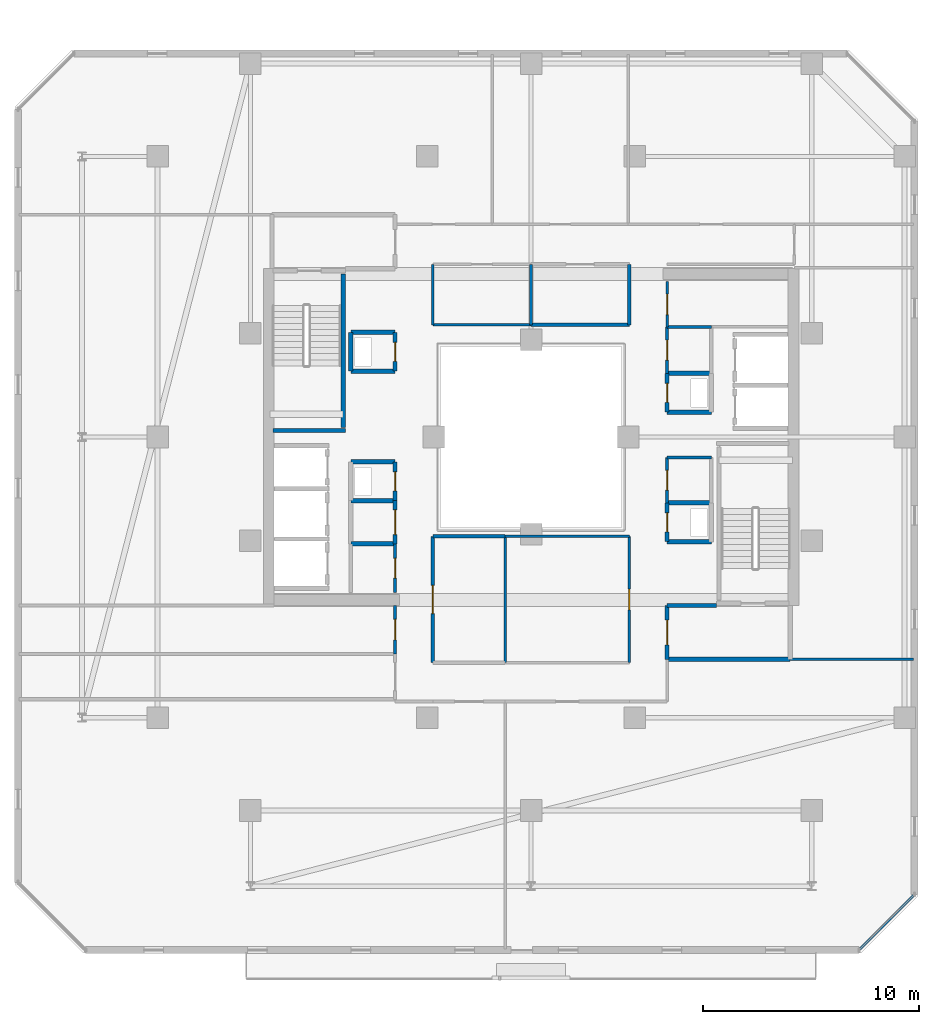
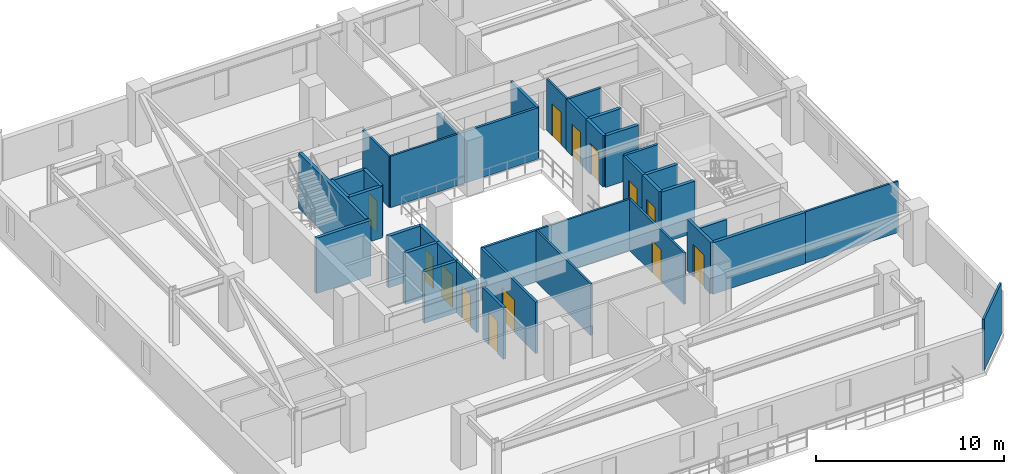
# One storey, part 24 of 33: 39 walls, 13 doors, 13 openings.
"""IFC4 building model written with IfcOpenShell, lengths in metres."""

from ifc_helpers import new_model, si_unit, direction, frame, frame_2d, origin, place, context, subcontext, project, spatial, rectangle, extrude, material, layer, layer_set, type_object, element, fill, save


model = new_model("IFC4")

# Units and contexts
model_context = context("Model", 3, precision=1e-05, world=origin(), true_north=direction((0.0, 1.0)))
body_context = subcontext(model_context, "Body", "Model", "MODEL_VIEW")
ifc_project = project(units=[si_unit("LENGTHUNIT", "METRE"), si_unit("AREAUNIT", "SQUARE_METRE"), si_unit("VOLUMEUNIT", "CUBIC_METRE"), si_unit("PLANEANGLEUNIT", "RADIAN"), si_unit("MASSUNIT", "GRAM", prefix="KILO")], contexts=[model_context])

# Site, building, storey
site_placement = place(None, origin())
site = spatial("IfcSite", under=ifc_project, at=site_placement, CompositionType="ELEMENT")
building_placement = place(site_placement, origin())
building = spatial("IfcBuilding", under=site, at=building_placement, Name="Thornwick Lancets Civic Towers", CompositionType="ELEMENT")
storey_placement = place(building_placement, frame((0.0, 0.0, 214.5)))
storey = spatial("IfcBuildingStorey", under=building, at=storey_placement, Name="L57", CompositionType="ELEMENT", Elevation=214.5)

# Walls
ifc_material_1 = material(Name="Concrete blockwork C40/50", Category="masonry")
ifc_layer_1 = layer(ifc_material_1, 0.199951171875, Name="Concrete blockwork C40/50")
ifc_layer_set_1 = layer_set([ifc_layer_1], Name="Concrete blockwork C40/50")
wall_type_1 = type_object("IfcWallType", Name="WALL_COMP_200", PredefinedType="STANDARD", material=ifc_layer_set_1)
wall_1_placement = place(storey_placement, frame((94.800048828125, 16.699951171875, 0.0), z_axis=(0.0, 0.0, 1.0), x_axis=(1.0, 0.0, 0.0)))
element("IfcWall", 1, at=wall_1_placement, inside=storey, type_object=wall_type_1, Name="L57 Partition L57-B-FFLOB1 E1", PredefinedType="STANDARD", context=body_context, shape_type="SweptSolid", body=[
    extrude(rectangle(XDim=5.699951171875, YDim=0.199951171875, at=frame_2d((2.85009765625, 0.0))), origin(), (0.0, 0.0, 1.0), 3.340087890625),
])
wall_2_placement = place(storey_placement, frame((97.10009765625, 19.199951171875, 0.0), z_axis=(0.0, 0.0, 1.0), x_axis=(-1.0, 0.0, 0.0)))
element("IfcWall", 2, at=wall_2_placement, inside=storey, type_object=wall_type_1, Name="L57 Partition L57-B-FFLOB1 E3", PredefinedType="STANDARD", context=body_context, shape_type="SweptSolid", body=[
    extrude(rectangle(XDim=2.300048828125, YDim=0.199951171875, at=frame_2d((1.14990234375, 0.0))), origin(), (0.0, 0.0, 1.0), 2.544921875),
])

# Wall, opening, door
wall_3_placement = place(storey_placement, frame((94.800048828125, 19.199951171875, 0.0), z_axis=(0.0, 0.0, 1.0), x_axis=(0.0, -1.0, 0.0)))
wall_3 = element("IfcWall", 3, at=wall_3_placement, inside=storey, type_object=wall_type_1, Name="L57 Partition L57-B-FFLOB1 E4", PredefinedType="STANDARD", context=body_context, shape_type="SweptSolid", body=[
    extrude(rectangle(XDim=2.5, YDim=0.199951171875, at=frame_2d((1.25, 0.0))), origin(), (0.0, 0.0, 1.0), 3.340087890625),
])
opening_1_placement = place(wall_3_placement, frame((0.675048828125, 0.0, 0.0)))
opening_1 = element("IfcOpeningElement", 4, at=opening_1_placement, cuts=wall_3, Name="Opening D-L57-2540", PredefinedType="OPENING", context=body_context, shape_type="SweptSolid", body=[
    extrude(rectangle(XDim=1.14990234375, YDim=2.10009765625, at=frame_2d((0.574951171875, 1.050048828125))), frame((0.0, 0.10986328125, 0.0), z_axis=(0.0, -1.0, 0.0), x_axis=(1.0, 0.0, 0.0)), (0.0, 0.0, 1.0), 0.219970703125),
])
ifc_material_2 = material(Name="Glazed fire-resisting steel", Category="steel")
door_type_1 = type_object("IfcDoorType", Name="DOOR_LOBBY_FD60", OperationType="NOTDEFINED", PredefinedType="DOOR", material=ifc_material_2)
door_1_placement = place(opening_1_placement, origin())
door_1 = element("IfcDoor", 5, at=door_1_placement, inside=storey, type_object=door_type_1, Name="L57 East Firefighting Lobby 1 Door", OperationType="SINGLE_SWING_LEFT", OverallHeight=2.10009765625, OverallWidth=1.14990234375, PredefinedType="DOOR", context=body_context, shape_type="SweptSolid", body=[
    extrude(rectangle(XDim=1.14990234375, YDim=2.10009765625, at=frame_2d((0.574951171875, 1.050048828125))), frame((0.0, 0.02490234375, 0.0), z_axis=(0.0, -1.0, 0.0), x_axis=(1.0, 0.0, 0.0)), (0.0, 0.0, 1.0), 0.050048828125),
])
fill(opening_1, door_1)

# Walls
for number, where, z_axis, x_axis, name in (
    (6, (94.800048828125, 28.14990234375, 0.0), (0.0, 0.0, 1.0), (1.0, 0.0, 0.0), "L57 Partition L57-B-DUCT1 E1"),
    (7, (96.85009765625, 29.949951171875, 0.0), (0.0, 0.0, 1.0), (-1.0, 0.0, 0.0), "L57 Partition L57-B-DUCT1 E3"),
):
    element("IfcWall", number, at=place(storey_placement, frame(where, z_axis=z_axis, x_axis=x_axis)), inside=storey, type_object=wall_type_1, Name=name, PredefinedType="STANDARD", context=body_context, shape_type="SweptSolid", body=[
        extrude(rectangle(XDim=2.050048828125, YDim=0.199951171875, at=frame_2d((1.02490234375, 0.0))), origin(), (0.0, 0.0, 1.0), 3.340087890625),
    ])

# Wall, opening, door
wall_4_placement = place(storey_placement, frame((94.800048828125, 29.949951171875, 0.0), z_axis=(0.0, 0.0, 1.0), x_axis=(0.0, -1.0, 0.0)))
wall_4 = element("IfcWall", 8, at=wall_4_placement, inside=storey, type_object=wall_type_1, Name="L57 Partition L57-B-DUCT1 E4", PredefinedType="STANDARD", context=body_context, shape_type="SweptSolid", body=[
    extrude(rectangle(XDim=1.800048828125, YDim=0.199951171875, at=frame_2d((0.89990234375, 0.0))), origin(), (0.0, 0.0, 1.0), 3.340087890625),
])
opening_2_placement = place(wall_4_placement, frame((0.4599609375, 0.0, 0.0)))
opening_2 = element("IfcOpeningElement", 9, at=opening_2_placement, cuts=wall_4, Name="Opening D-L57-2542", PredefinedType="OPENING", context=body_context, shape_type="SweptSolid", body=[
    extrude(rectangle(XDim=0.8798828125, YDim=2.0400390625, at=frame_2d((0.43994140625, 1.02001953125))), frame((0.0, 0.10986328125, 0.0), z_axis=(0.0, -1.0, 0.0), x_axis=(1.0, 0.0, 0.0)), (0.0, 0.0, 1.0), 0.219970703125),
])
ifc_material_3 = material(Name="Steel riser access doorset", Category="steel")
door_type_2 = type_object("IfcDoorType", Name="DOOR_RISER_850", OperationType="NOTDEFINED", PredefinedType="DOOR", material=ifc_material_3)
door_2_placement = place(opening_2_placement, origin())
door_2 = element("IfcDoor", 10, at=door_2_placement, inside=storey, type_object=door_type_2, Name="L57 East Service Duct 1 Door", OperationType="SINGLE_SWING_LEFT", OverallHeight=2.0400390625, OverallWidth=0.8798828125, PredefinedType="DOOR", context=body_context, shape_type="SweptSolid", body=[
    extrude(rectangle(XDim=0.8798828125, YDim=2.0400390625, at=frame_2d((0.43994140625, 1.02001953125))), frame((0.0, 0.02490234375, 0.0), z_axis=(0.0, -1.0, 0.0), x_axis=(1.0, 0.0, 0.0)), (0.0, 0.0, 1.0), 0.050048828125),
])
fill(opening_2, door_2)

# Walls
for number, where, z_axis, x_axis, name in (
    (11, (94.800048828125, 22.14990234375, 0.0), (0.0, 0.0, 1.0), (1.0, 0.0, 0.0), "L57 Partition L57-B-RISER1 E1"),
    (12, (96.85009765625, 23.949951171875, 0.0), (0.0, 0.0, 1.0), (-1.0, 0.0, 0.0), "L57 Partition L57-B-RISER1 E3"),
):
    element("IfcWall", number, at=place(storey_placement, frame(where, z_axis=z_axis, x_axis=x_axis)), inside=storey, type_object=wall_type_1, Name=name, PredefinedType="STANDARD", context=body_context, shape_type="SweptSolid", body=[
        extrude(rectangle(XDim=2.050048828125, YDim=0.199951171875, at=frame_2d((1.02490234375, 0.0))), origin(), (0.0, 0.0, 1.0), 3.340087890625),
    ])

# Wall, opening, door
wall_5_placement = place(storey_placement, frame((94.800048828125, 23.949951171875, 0.0), z_axis=(0.0, 0.0, 1.0), x_axis=(0.0, -1.0, 0.0)))
wall_5 = element("IfcWall", 13, at=wall_5_placement, inside=storey, type_object=wall_type_1, Name="L57 Partition L57-B-RISER1 E4", PredefinedType="STANDARD", context=body_context, shape_type="SweptSolid", body=[
    extrude(rectangle(XDim=1.800048828125, YDim=0.199951171875, at=frame_2d((0.89990234375, 0.0))), origin(), (0.0, 0.0, 1.0), 3.340087890625),
])
opening_3_placement = place(wall_5_placement, frame((0.4599609375, 0.0, 0.0)))
opening_3 = element("IfcOpeningElement", 14, at=opening_3_placement, cuts=wall_5, Name="Opening D-L57-2543", PredefinedType="OPENING", context=body_context, shape_type="SweptSolid", body=[
    extrude(rectangle(XDim=0.8798828125, YDim=2.0400390625, at=frame_2d((0.43994140625, 1.02001953125))), frame((0.0, 0.10986328125, 0.0), z_axis=(0.0, -1.0, 0.0), x_axis=(1.0, 0.0, 0.0)), (0.0, 0.0, 1.0), 0.219970703125),
])
door_3_placement = place(opening_3_placement, origin())
door_3 = element("IfcDoor", 15, at=door_3_placement, inside=storey, type_object=door_type_2, Name="L57 East Electrical Riser 1 Door", OperationType="SINGLE_SWING_RIGHT", OverallHeight=2.0400390625, OverallWidth=0.8798828125, PredefinedType="DOOR", context=body_context, shape_type="SweptSolid", body=[
    extrude(rectangle(XDim=0.8798828125, YDim=2.0400390625, at=frame_2d((0.43994140625, 1.02001953125))), frame((0.0, 0.02490234375, 0.0), z_axis=(0.0, -1.0, 0.0), x_axis=(1.0, 0.0, 0.0)), (0.0, 0.0, 1.0), 0.050048828125),
])
fill(opening_3, door_3)

# Wall
wall_6_placement = place(storey_placement, frame((80.14990234375, 24.050048828125, 0.0), z_axis=(0.0, 0.0, 1.0), x_axis=(1.0, 0.0, 0.0)))
element("IfcWall", 16, at=wall_6_placement, inside=storey, type_object=wall_type_1, Name="L57 Partition L57-B-DUCT2 E1", PredefinedType="STANDARD", context=body_context, shape_type="SweptSolid", body=[
    extrude(rectangle(XDim=2.050048828125, YDim=0.199951171875, at=frame_2d((1.02490234375, 0.0))), origin(), (0.0, 0.0, 1.0), 3.340087890625),
])

# Wall, opening, door
wall_7_placement = place(storey_placement, frame((82.199951171875, 24.050048828125, 0.0), z_axis=(0.0, 0.0, 1.0), x_axis=(0.0, 1.0, 0.0)))
wall_7 = element("IfcWall", 17, at=wall_7_placement, inside=storey, type_object=wall_type_1, Name="L57 Partition L57-B-DUCT2 E2", PredefinedType="STANDARD", context=body_context, shape_type="SweptSolid", body=[
    extrude(rectangle(XDim=1.800048828125, YDim=0.199951171875, at=frame_2d((0.89990234375, 0.0))), origin(), (0.0, 0.0, 1.0), 3.340087890625),
])
opening_4_placement = place(wall_7_placement, frame((0.4599609375, 0.0, 0.0)))
opening_4 = element("IfcOpeningElement", 18, at=opening_4_placement, cuts=wall_7, Name="Opening D-L57-2544", PredefinedType="OPENING", context=body_context, shape_type="SweptSolid", body=[
    extrude(rectangle(XDim=0.8798828125, YDim=2.0400390625, at=frame_2d((0.43994140625, 1.02001953125))), frame((0.0, 0.10986328125, 0.0), z_axis=(0.0, -1.0, 0.0), x_axis=(1.0, 0.0, 0.0)), (0.0, 0.0, 1.0), 0.219970703125),
])
door_4_placement = place(opening_4_placement, origin())
door_4 = element("IfcDoor", 19, at=door_4_placement, inside=storey, type_object=door_type_2, Name="L57 West Service Duct 2 Door", OperationType="SINGLE_SWING_LEFT", OverallHeight=2.0400390625, OverallWidth=0.8798828125, PredefinedType="DOOR", context=body_context, shape_type="SweptSolid", body=[
    extrude(rectangle(XDim=0.8798828125, YDim=2.0400390625, at=frame_2d((0.43994140625, 1.02001953125))), frame((0.0, 0.02490234375, 0.0), z_axis=(0.0, -1.0, 0.0), x_axis=(1.0, 0.0, 0.0)), (0.0, 0.0, 1.0), 0.050048828125),
])
fill(opening_4, door_4)

# Walls
for number, where, z_axis, x_axis, name in (
    (20, (82.199951171875, 25.85009765625, 0.0), (0.0, 0.0, 1.0), (-1.0, 0.0, 0.0), "L57 Partition L57-B-DUCT2 E3"),
    (21, (80.14990234375, 30.050048828125, 0.0), (0.0, 0.0, 1.0), (1.0, 0.0, 0.0), "L57 Partition L57-B-RISER2 E1"),
):
    element("IfcWall", number, at=place(storey_placement, frame(where, z_axis=z_axis, x_axis=x_axis)), inside=storey, type_object=wall_type_1, Name=name, PredefinedType="STANDARD", context=body_context, shape_type="SweptSolid", body=[
        extrude(rectangle(XDim=2.050048828125, YDim=0.199951171875, at=frame_2d((1.02490234375, 0.0))), origin(), (0.0, 0.0, 1.0), 3.340087890625),
    ])

# Wall, opening, door
wall_8_placement = place(storey_placement, frame((82.199951171875, 30.050048828125, 0.0), z_axis=(0.0, 0.0, 1.0), x_axis=(0.0, 1.0, 0.0)))
wall_8 = element("IfcWall", 22, at=wall_8_placement, inside=storey, type_object=wall_type_1, Name="L57 Partition L57-B-RISER2 E2", PredefinedType="STANDARD", context=body_context, shape_type="SweptSolid", body=[
    extrude(rectangle(XDim=1.800048828125, YDim=0.199951171875, at=frame_2d((0.89990234375, 0.0))), origin(), (0.0, 0.0, 1.0), 3.340087890625),
])
opening_5_placement = place(wall_8_placement, frame((0.4599609375, 0.0, 0.0)))
opening_5 = element("IfcOpeningElement", 23, at=opening_5_placement, cuts=wall_8, Name="Opening D-L57-2545", PredefinedType="OPENING", context=body_context, shape_type="SweptSolid", body=[
    extrude(rectangle(XDim=0.8798828125, YDim=2.0400390625, at=frame_2d((0.43994140625, 1.02001953125))), frame((0.0, 0.10986328125, 0.0), z_axis=(0.0, -1.0, 0.0), x_axis=(1.0, 0.0, 0.0)), (0.0, 0.0, 1.0), 0.219970703125),
])
door_5_placement = place(opening_5_placement, origin())
door_5 = element("IfcDoor", 24, at=door_5_placement, inside=storey, type_object=door_type_2, Name="L57 West Service Riser 2 Door", OperationType="SINGLE_SWING_RIGHT", OverallHeight=2.0400390625, OverallWidth=0.8798828125, PredefinedType="DOOR", context=body_context, shape_type="SweptSolid", body=[
    extrude(rectangle(XDim=0.8798828125, YDim=2.0400390625, at=frame_2d((0.43994140625, 1.02001953125))), frame((0.0, 0.02490234375, 0.0), z_axis=(0.0, -1.0, 0.0), x_axis=(1.0, 0.0, 0.0)), (0.0, 0.0, 1.0), 0.050048828125),
])
fill(opening_5, door_5)

# Walls
wall_9_placement = place(storey_placement, frame((82.199951171875, 31.85009765625, 0.0), z_axis=(0.0, 0.0, 1.0), x_axis=(-1.0, 0.0, 0.0)))
element("IfcWall", 25, at=wall_9_placement, inside=storey, type_object=wall_type_1, Name="L57 Partition L57-B-RISER2 E3", PredefinedType="STANDARD", context=body_context, shape_type="SweptSolid", body=[
    extrude(rectangle(XDim=2.050048828125, YDim=0.199951171875, at=frame_2d((1.02490234375, 0.0))), origin(), (0.0, 0.0, 1.0), 3.340087890625),
])
wall_10_placement = place(storey_placement, frame((80.14990234375, 31.85009765625, 0.0), z_axis=(0.0, 0.0, 1.0), x_axis=(0.0, -1.0, 0.0)))
element("IfcWall", 26, at=wall_10_placement, inside=storey, type_object=wall_type_1, Name="L57 Partition L57-B-RISER2 E4", PredefinedType="STANDARD", context=body_context, shape_type="SweptSolid", body=[
    extrude(rectangle(XDim=1.800048828125, YDim=0.199951171875, at=frame_2d((0.89990234375, 0.0))), origin(), (0.0, 0.0, 1.0), 3.340087890625),
])

# Wall, opening, door
wall_11_placement = place(storey_placement, frame((82.199951171875, 24.050048828125, 0.0), z_axis=(0.0, 0.0, 1.0), x_axis=(0.0, -1.0, 0.0)))
wall_11 = element("IfcWall", 27, at=wall_11_placement, inside=storey, type_object=wall_type_1, Name="L57 Partition L57-B-STR E3", PredefinedType="STANDARD", context=body_context, shape_type="SweptSolid", body=[
    extrude(rectangle(XDim=2.0, YDim=0.199951171875, at=frame_2d((1.0, 0.0))), origin(), (0.0, 0.0, 1.0), 3.340087890625),
])
opening_6_placement = place(wall_11_placement, frame((0.425048828125, 0.0, 0.0)))
opening_6 = element("IfcOpeningElement", 28, at=opening_6_placement, cuts=wall_11, Name="Opening D-L57-2550", PredefinedType="OPENING", context=body_context, shape_type="SweptSolid", body=[
    extrude(rectangle(XDim=1.14990234375, YDim=2.10009765625, at=frame_2d((0.574951171875, 1.050048828125))), frame((0.0, 0.10986328125, 0.0), z_axis=(0.0, -1.0, 0.0), x_axis=(1.0, 0.0, 0.0)), (0.0, 0.0, 1.0), 0.219970703125),
])
door_6_placement = place(opening_6_placement, origin())
door_6 = element("IfcDoor", 29, at=door_6_placement, inside=storey, type_object=door_type_1, Name="L57 Tower B Core Records Store Door", OperationType="SINGLE_SWING_LEFT", OverallHeight=2.10009765625, OverallWidth=1.14990234375, PredefinedType="DOOR", context=body_context, shape_type="SweptSolid", body=[
    extrude(rectangle(XDim=1.14990234375, YDim=2.10009765625, at=frame_2d((0.574951171875, 1.050048828125))), frame((0.0, 0.02490234375, 0.0), z_axis=(0.0, -1.0, 0.0), x_axis=(1.0, 0.0, 0.0)), (0.0, 0.0, 1.0), 0.050048828125),
])
fill(opening_6, door_6)

# Wall
wall_12_placement = place(storey_placement, frame((82.199951171875, 22.050048828125, 0.0), z_axis=(0.0, 0.0, 1.0), x_axis=(-1.0, 0.0, 0.0)))
element("IfcWall", 30, at=wall_12_placement, inside=storey, type_object=wall_type_1, Name="L57 Partition L57-B-STR E4", PredefinedType="STANDARD", context=body_context, shape_type="SweptSolid", body=[
    extrude(rectangle(XDim=2.050048828125, YDim=0.199951171875, at=frame_2d((1.02490234375, 0.0))), origin(), (0.0, 0.0, 1.0), 3.340087890625),
])

# Wall, opening, door
ifc_material_4 = material(Name="Acoustic gypsum board partition")
ifc_layer_2 = layer(ifc_material_4, 0.1201171875, Name="Acoustic gypsum board partition")
ifc_layer_set_2 = layer_set([ifc_layer_2], Name="Acoustic gypsum board partition")
wall_type_2 = type_object("IfcWallType", Name="WALL_PART_120", PredefinedType="PARTITIONING", material=ifc_layer_set_2)
wall_13_placement = place(storey_placement, frame((94.800048828125, 32.10009765625, 0.0), z_axis=(0.0, 0.0, 1.0), x_axis=(0.0, 1.0, 0.0)))
wall_13 = element("IfcWall", 31, at=wall_13_placement, inside=storey, type_object=wall_type_2, Name="L57 Partition L57-B-ITR E1", PredefinedType="PARTITIONING", context=body_context, shape_type="SweptSolid", body=[
    extrude(rectangle(XDim=2.099853515625, YDim=0.1201171875, at=frame_2d((1.0498046875, 0.0))), origin(), (0.0, 0.0, 1.0), 3.340087890625),
])
opening_7_placement = place(wall_13_placement, frame((0.574951171875, 0.0, 0.0)))
opening_7 = element("IfcOpeningElement", 32, at=opening_7_placement, cuts=wall_13, Name="Opening D-L57-2548", PredefinedType="OPENING", context=body_context, shape_type="SweptSolid", body=[
    extrude(rectangle(XDim=0.949951171875, YDim=2.10009765625, at=frame_2d((0.47509765625, 1.050048828125))), frame((0.0, 0.070068359375, 0.0), z_axis=(0.0, -1.0, 0.0), x_axis=(1.0, 0.0, 0.0)), (0.0, 0.0, 1.0), 0.14013671875),
])
ifc_material_5 = material(Name="European oak acoustic doorset")
door_type_3 = type_object("IfcDoorType", Name="DOOR_OFFICE_950", OperationType="NOTDEFINED", PredefinedType="DOOR", material=ifc_material_5)
door_7_placement = place(opening_7_placement, origin())
door_7 = element("IfcDoor", 33, at=door_7_placement, inside=storey, type_object=door_type_3, Name="L57 Tower B Comms Patch Room Door", OperationType="SINGLE_SWING_LEFT", OverallHeight=2.10009765625, OverallWidth=0.949951171875, PredefinedType="DOOR", context=body_context, shape_type="SweptSolid", body=[
    extrude(rectangle(XDim=0.949951171875, YDim=2.10009765625, at=frame_2d((0.47509765625, 1.050048828125))), frame((0.0, 0.02490234375, 0.0), z_axis=(0.0, -1.0, 0.0), x_axis=(1.0, 0.0, 0.0)), (0.0, 0.0, 1.0), 0.050048828125),
])
fill(opening_7, door_7)

# Walls
wall_14_placement = place(storey_placement, frame((100.5, 16.699951171875, 0.0), z_axis=(0.0, 0.0, 1.0), x_axis=(1.0, 0.0, 0.0)))
element("IfcWall", 34, at=wall_14_placement, inside=storey, type_object=wall_type_2, Name="L57 Partition L57-B-W1 E7", PredefinedType="PARTITIONING", context=body_context, shape_type="SweptSolid", body=[
    extrude(rectangle(XDim=5.719970703125, YDim=0.1201171875, at=frame_2d((2.85986328125, 0.0))), origin(), (0.0, 0.0, 1.0), 3.340087890625),
])
wall_15_placement = place(storey_placement, frame((106.219970703125, 5.774658203125, 0.0), z_axis=(0.0, 0.0, 1.0), x_axis=(-0.707106781187, -0.707106781187, 0.0)))
element("IfcWall", 35, at=wall_15_placement, inside=storey, type_object=wall_type_2, Name="L57 Partition L57-B-W1 E9", PredefinedType="PARTITIONING", context=body_context, shape_type="SweptSolid", body=[
    extrude(rectangle(XDim=3.52783203125, YDim=0.1201171875, at=frame_2d((1.763916015625, 0.0))), origin(), (0.0, 0.0, 1.0), 3.340087890625),
])
wall_16_placement = place(storey_placement, frame((87.300048828125, 16.550048828125, 0.0), z_axis=(0.0, 0.0, 1.0), x_axis=(0.0, 1.0, 0.0)))
element("IfcWall", 36, at=wall_16_placement, inside=storey, type_object=wall_type_2, Name="L57 Partition L57-B-W3 E1", PredefinedType="PARTITIONING", context=body_context, shape_type="SweptSolid", body=[
    extrude(rectangle(XDim=5.849853515625, YDim=0.1201171875, at=frame_2d((2.9248046875, 0.0))), origin(), (0.0, 0.0, 1.0), 3.340087890625),
])
wall_17_placement = place(storey_placement, frame((87.300048828125, 22.39990234375, 0.0), z_axis=(0.0, 0.0, 1.0), x_axis=(1.0, 0.0, 0.0)))
element("IfcWall", 37, at=wall_17_placement, inside=storey, type_object=wall_type_2, Name="L57 Partition L57-B-W3 E2", PredefinedType="PARTITIONING", context=body_context, shape_type="SweptSolid", body=[
    extrude(rectangle(XDim=5.75, YDim=0.1201171875, at=frame_2d((2.875, 0.0))), origin(), (0.0, 0.0, 1.0), 3.340087890625),
])

# Wall, opening, door
wall_18_placement = place(storey_placement, frame((93.050048828125, 22.39990234375, 0.0), z_axis=(0.0, 0.0, 1.0), x_axis=(0.0, -1.0, 0.0)))
wall_18 = element("IfcWall", 38, at=wall_18_placement, inside=storey, type_object=wall_type_2, Name="L57 Partition L57-B-W3 E3", PredefinedType="PARTITIONING", context=body_context, shape_type="SweptSolid", body=[
    extrude(rectangle(XDim=5.849853515625, YDim=0.1201171875, at=frame_2d((2.9248046875, 0.0))), origin(), (0.0, 0.0, 1.0), 3.340087890625),
])
opening_8_placement = place(wall_18_placement, frame((2.449951171875, 0.0, 0.0)))
opening_8 = element("IfcOpeningElement", 39, at=opening_8_placement, cuts=wall_18, Name="Opening D-L57-2568", PredefinedType="OPENING", context=body_context, shape_type="SweptSolid", body=[
    extrude(rectangle(XDim=0.949951171875, YDim=2.10009765625, at=frame_2d((0.47509765625, 1.050048828125))), frame((0.0, 0.070068359375, 0.0), z_axis=(0.0, -1.0, 0.0), x_axis=(1.0, 0.0, 0.0)), (0.0, 0.0, 1.0), 0.14013671875),
])
door_8_placement = place(opening_8_placement, origin())
door_8 = element("IfcDoor", 40, at=door_8_placement, inside=storey, type_object=door_type_3, Name="L57 Tower B Staff Tea Pantry and Lounge Door", OperationType="SINGLE_SWING_LEFT", OverallHeight=2.10009765625, OverallWidth=0.949951171875, PredefinedType="DOOR", context=body_context, shape_type="SweptSolid", body=[
    extrude(rectangle(XDim=0.949951171875, YDim=2.10009765625, at=frame_2d((0.47509765625, 1.050048828125))), frame((0.0, 0.02490234375, 0.0), z_axis=(0.0, -1.0, 0.0), x_axis=(1.0, 0.0, 0.0)), (0.0, 0.0, 1.0), 0.050048828125),
])
fill(opening_8, door_8)

# Walls
wall_19_placement = place(storey_placement, frame((83.949951171875, 32.199951171875, 0.0), z_axis=(0.0, 0.0, 1.0), x_axis=(0.0, 1.0, 0.0)))
element("IfcWall", 41, at=wall_19_placement, inside=storey, type_object=wall_type_2, Name="L57 Partition L57-B-E-ATR-2 E1", PredefinedType="PARTITIONING", context=body_context, shape_type="SweptSolid", body=[
    extrude(rectangle(XDim=2.800048828125, YDim=0.1201171875, at=frame_2d((1.39990234375, 0.0))), origin(), (0.0, 0.0, 1.0), 3.340087890625),
])
wall_20_placement = place(storey_placement, frame((88.5, 32.199951171875, 0.0), z_axis=(0.0, 0.0, 1.0), x_axis=(-1.0, 0.0, 0.0)))
element("IfcWall", 42, at=wall_20_placement, inside=storey, type_object=wall_type_2, Name="L57 Partition L57-B-E-ATR-2 E4", PredefinedType="PARTITIONING", context=body_context, shape_type="SweptSolid", body=[
    extrude(rectangle(XDim=4.550048828125, YDim=0.1201171875, at=frame_2d((2.27490234375, 0.0))), origin(), (0.0, 0.0, 1.0), 3.340087890625),
])

# Wall, opening, door
ifc_material_6 = material(Name="Twin-stud acoustic gypsum board")
ifc_layer_3 = layer(ifc_material_6, 0.14990234375, Name="Twin-stud acoustic gypsum board")
ifc_layer_set_3 = layer_set([ifc_layer_3], Name="Twin-stud acoustic gypsum board")
wall_type_3 = type_object("IfcWallType", Name="WALL_PART_150", PredefinedType="PARTITIONING", material=ifc_layer_set_3)
wall_21_placement = place(storey_placement, frame((94.800048828125, 23.949951171875, 0.0), z_axis=(0.0, 0.0, 1.0), x_axis=(0.0, 1.0, 0.0)))
wall_21 = element("IfcWall", 43, at=wall_21_placement, inside=storey, type_object=wall_type_3, Name="L57 Partition L57-B-MWC E1", PredefinedType="PARTITIONING", context=body_context, shape_type="SweptSolid", body=[
    extrude(rectangle(XDim=2.10009765625, YDim=0.14990234375, at=frame_2d((1.050048828125, 0.0))), origin(), (0.0, 0.0, 1.0), 3.340087890625),
])
opening_9_placement = place(wall_21_placement, frame((0.590087890625, 0.0, 0.0)))
opening_9 = element("IfcOpeningElement", 44, at=opening_9_placement, cuts=wall_21, Name="Opening D-L57-2546", PredefinedType="OPENING", context=body_context, shape_type="SweptSolid", body=[
    extrude(rectangle(XDim=0.919921875, YDim=2.080078125, at=frame_2d((0.4599609375, 1.0400390625))), frame((0.0, 0.0849609375, 0.0), z_axis=(0.0, -1.0, 0.0), x_axis=(1.0, 0.0, 0.0)), (0.0, 0.0, 1.0), 0.169921875),
])
ifc_material_7 = material(Name="Moisture-resistant oak doorset")
door_type_4 = type_object("IfcDoorType", Name="DOOR_WC_900", OperationType="NOTDEFINED", PredefinedType="DOOR", material=ifc_material_7)
door_9_placement = place(opening_9_placement, origin())
door_9 = element("IfcDoor", 45, at=door_9_placement, inside=storey, type_object=door_type_4, Name="L57 Tower B Male WC Door", OperationType="SINGLE_SWING_LEFT", OverallHeight=2.080078125, OverallWidth=0.919921875, PredefinedType="DOOR", context=body_context, shape_type="SweptSolid", body=[
    extrude(rectangle(XDim=0.919921875, YDim=2.080078125, at=frame_2d((0.4599609375, 1.0400390625))), frame((0.0, 0.02490234375, 0.0), z_axis=(0.0, -1.0, 0.0), x_axis=(1.0, 0.0, 0.0)), (0.0, 0.0, 1.0), 0.050048828125),
])
fill(opening_9, door_9)

# Wall
wall_22_placement = place(storey_placement, frame((94.800048828125, 26.050048828125, 0.0), z_axis=(0.0, 0.0, 1.0), x_axis=(1.0, 0.0, 0.0)))
element("IfcWall", 46, at=wall_22_placement, inside=storey, type_object=wall_type_3, Name="L57 Partition L57-B-MWC E2", PredefinedType="PARTITIONING", context=body_context, shape_type="SweptSolid", body=[
    extrude(rectangle(XDim=2.050048828125, YDim=0.14990234375, at=frame_2d((1.02490234375, 0.0))), origin(), (0.0, 0.0, 1.0), 3.340087890625),
])

# Wall, opening, door
wall_23_placement = place(storey_placement, frame((94.800048828125, 29.949951171875, 0.0), z_axis=(0.0, 0.0, 1.0), x_axis=(0.0, 1.0, 0.0)))
wall_23 = element("IfcWall", 47, at=wall_23_placement, inside=storey, type_object=wall_type_3, Name="L57 Partition L57-B-FWC E1", PredefinedType="PARTITIONING", context=body_context, shape_type="SweptSolid", body=[
    extrude(rectangle(XDim=2.150146484375, YDim=0.14990234375, at=frame_2d((1.0751953125, 0.0))), origin(), (0.0, 0.0, 1.0), 3.340087890625),
])
opening_10_placement = place(wall_23_placement, frame((0.614990234375, 0.0, 0.0)))
opening_10 = element("IfcOpeningElement", 48, at=opening_10_placement, cuts=wall_23, Name="Opening D-L57-2547", PredefinedType="OPENING", context=body_context, shape_type="SweptSolid", body=[
    extrude(rectangle(XDim=0.919921875, YDim=2.080078125, at=frame_2d((0.4599609375, 1.0400390625))), frame((0.0, 0.0849609375, 0.0), z_axis=(0.0, -1.0, 0.0), x_axis=(1.0, 0.0, 0.0)), (0.0, 0.0, 1.0), 0.169921875),
])
door_10_placement = place(opening_10_placement, origin())
door_10 = element("IfcDoor", 49, at=door_10_placement, inside=storey, type_object=door_type_4, Name="L57 Tower B Female WC Door", OperationType="SINGLE_SWING_RIGHT", OverallHeight=2.080078125, OverallWidth=0.919921875, PredefinedType="DOOR", context=body_context, shape_type="SweptSolid", body=[
    extrude(rectangle(XDim=0.919921875, YDim=2.080078125, at=frame_2d((0.4599609375, 1.0400390625))), frame((0.0, 0.02490234375, 0.0), z_axis=(0.0, -1.0, 0.0), x_axis=(1.0, 0.0, 0.0)), (0.0, 0.0, 1.0), 0.050048828125),
])
fill(opening_10, door_10)

# Wall
wall_24_placement = place(storey_placement, frame((94.800048828125, 32.10009765625, 0.0), z_axis=(0.0, 0.0, 1.0), x_axis=(1.0, 0.0, 0.0)))
element("IfcWall", 50, at=wall_24_placement, inside=storey, type_object=wall_type_3, Name="L57 Partition L57-B-FWC E2", PredefinedType="PARTITIONING", context=body_context, shape_type="SweptSolid", body=[
    extrude(rectangle(XDim=2.050048828125, YDim=0.14990234375, at=frame_2d((1.02490234375, 0.0))), origin(), (0.0, 0.0, 1.0), 3.340087890625),
])

# Wall, opening, door
wall_25_placement = place(storey_placement, frame((82.199951171875, 19.800048828125, 0.0), z_axis=(0.0, 0.0, 1.0), x_axis=(0.0, 1.0, 0.0)))
wall_25 = element("IfcWall", 51, at=wall_25_placement, inside=storey, type_object=wall_type_3, Name="L57 Partition L57-B-AWC E2", PredefinedType="PARTITIONING", context=body_context, shape_type="SweptSolid", body=[
    extrude(rectangle(XDim=2.25, YDim=0.14990234375, at=frame_2d((1.125, 0.0))), origin(), (0.0, 0.0, 1.0), 3.340087890625),
])
opening_11_placement = place(wall_25_placement, frame((0.6650390625, 0.0, 0.0)))
opening_11 = element("IfcOpeningElement", 52, at=opening_11_placement, cuts=wall_25, Name="Opening D-L57-2549", PredefinedType="OPENING", context=body_context, shape_type="SweptSolid", body=[
    extrude(rectangle(XDim=0.919921875, YDim=2.080078125, at=frame_2d((0.4599609375, 1.0400390625))), frame((0.0, 0.0849609375, 0.0), z_axis=(0.0, -1.0, 0.0), x_axis=(1.0, 0.0, 0.0)), (0.0, 0.0, 1.0), 0.169921875),
])
door_11_placement = place(opening_11_placement, origin())
door_11 = element("IfcDoor", 53, at=door_11_placement, inside=storey, type_object=door_type_4, Name="L57 Tower B Accessible WC Door", OperationType="SINGLE_SWING_RIGHT", OverallHeight=2.080078125, OverallWidth=0.919921875, PredefinedType="DOOR", context=body_context, shape_type="SweptSolid", body=[
    extrude(rectangle(XDim=0.919921875, YDim=2.080078125, at=frame_2d((0.4599609375, 1.0400390625))), frame((0.0, 0.02490234375, 0.0), z_axis=(0.0, -1.0, 0.0), x_axis=(1.0, 0.0, 0.0)), (0.0, 0.0, 1.0), 0.050048828125),
])
fill(opening_11, door_11)

wall_26_placement = place(storey_placement, frame((82.199951171875, 19.199951171875, 0.0), z_axis=(0.0, 0.0, 1.0), x_axis=(0.0, -1.0, 0.0)))
wall_26 = element("IfcWall", 54, at=wall_26_placement, inside=storey, type_object=wall_type_3, Name="L57 Partition L57-B-RECLAIM-M2 E4", PredefinedType="PARTITIONING", context=body_context, shape_type="SweptSolid", body=[
    extrude(rectangle(XDim=2.25, YDim=0.14990234375, at=frame_2d((1.125, 0.0))), origin(), (0.0, 0.0, 1.0), 3.340087890625),
])
opening_12_placement = place(wall_26_placement, frame((0.64990234375, 0.0, 0.0)))
opening_12 = element("IfcOpeningElement", 55, at=opening_12_placement, cuts=wall_26, Name="Opening D-L57-2565", PredefinedType="OPENING", context=body_context, shape_type="SweptSolid", body=[
    extrude(rectangle(XDim=0.949951171875, YDim=2.10009765625, at=frame_2d((0.47509765625, 1.050048828125))), frame((0.0, 0.0849609375, 0.0), z_axis=(0.0, -1.0, 0.0), x_axis=(1.0, 0.0, 0.0)), (0.0, 0.0, 1.0), 0.169921875),
])
door_12_placement = place(opening_12_placement, origin())
door_12 = element("IfcDoor", 56, at=door_12_placement, inside=storey, type_object=door_type_3, Name="L57 Tower B Executive Records Archive Door", OperationType="SINGLE_SWING_RIGHT", OverallHeight=2.10009765625, OverallWidth=0.949951171875, PredefinedType="DOOR", context=body_context, shape_type="SweptSolid", body=[
    extrude(rectangle(XDim=0.949951171875, YDim=2.10009765625, at=frame_2d((0.47509765625, 1.050048828125))), frame((0.0, 0.02490234375, 0.0), z_axis=(0.0, -1.0, 0.0), x_axis=(1.0, 0.0, 0.0)), (0.0, 0.0, 1.0), 0.050048828125),
])
fill(opening_12, door_12)

wall_27_placement = place(storey_placement, frame((83.949951171875, 16.550048828125, 0.0), z_axis=(0.0, 0.0, 1.0), x_axis=(0.0, 1.0, 0.0)))
wall_27 = element("IfcWall", 57, at=wall_27_placement, inside=storey, type_object=wall_type_3, Name="L57 Partition L57-B-W4 E1", PredefinedType="PARTITIONING", context=body_context, shape_type="SweptSolid", body=[
    extrude(rectangle(XDim=5.849853515625, YDim=0.14990234375, at=frame_2d((2.9248046875, 0.0))), origin(), (0.0, 0.0, 1.0), 3.340087890625),
])
opening_13_placement = place(wall_27_placement, frame((2.27490234375, 0.0, 0.0)))
opening_13 = element("IfcOpeningElement", 58, at=opening_13_placement, cuts=wall_27, Name="Opening D-L57-2569", PredefinedType="OPENING", context=body_context, shape_type="SweptSolid", body=[
    extrude(rectangle(XDim=1.300048828125, YDim=2.1201171875, at=frame_2d((0.64990234375, 1.06005859375))), frame((0.0, 0.0849609375, 0.0), z_axis=(0.0, -1.0, 0.0), x_axis=(1.0, 0.0, 0.0)), (0.0, 0.0, 1.0), 0.169921875),
])
ifc_material_8 = material(Name="Acoustic oak leaf-and-a-half doorset")
door_type_5 = type_object("IfcDoorType", Name="DOOR_MEET_1300", OperationType="DOUBLE_DOOR_SINGLE_SWING", PredefinedType="DOOR", material=ifc_material_8)
door_13_placement = place(opening_13_placement, origin())
door_13 = element("IfcDoor", 59, at=door_13_placement, inside=storey, type_object=door_type_5, Name="L57 Tower B West Briefing Room W4 Door", OperationType="DOUBLE_DOOR_SINGLE_SWING", OverallHeight=2.1201171875, OverallWidth=1.300048828125, PredefinedType="DOOR", context=body_context, shape_type="SweptSolid", body=[
    extrude(rectangle(XDim=1.300048828125, YDim=2.1201171875, at=frame_2d((0.64990234375, 1.06005859375))), frame((0.0, 0.02490234375, 0.0), z_axis=(0.0, -1.0, 0.0), x_axis=(1.0, 0.0, 0.0)), (0.0, 0.0, 1.0), 0.050048828125),
])
fill(opening_13, door_13)

# Walls
wall_28_placement = place(storey_placement, frame((83.949951171875, 22.39990234375, 0.0), z_axis=(0.0, 0.0, 1.0), x_axis=(1.0, 0.0, 0.0)))
element("IfcWall", 60, at=wall_28_placement, inside=storey, type_object=wall_type_3, Name="L57 Partition L57-B-W4 E2", PredefinedType="PARTITIONING", context=body_context, shape_type="SweptSolid", body=[
    extrude(rectangle(XDim=3.35009765625, YDim=0.14990234375, at=frame_2d((1.675048828125, 0.0))), origin(), (0.0, 0.0, 1.0), 3.340087890625),
])
wall_29_placement = place(storey_placement, frame((88.5, 32.199951171875, 0.0), z_axis=(0.0, 0.0, 1.0), x_axis=(0.0, 1.0, 0.0)))
element("IfcWall", 61, at=wall_29_placement, inside=storey, type_object=wall_type_3, Name="L57 Partition L57-B-E-ATR-1 E1", PredefinedType="PARTITIONING", context=body_context, shape_type="SweptSolid", body=[
    extrude(rectangle(XDim=2.800048828125, YDim=0.14990234375, at=frame_2d((1.39990234375, 0.0))), origin(), (0.0, 0.0, 1.0), 2.877685546875),
])
wall_30_placement = place(storey_placement, frame((93.050048828125, 35.0, 0.0), z_axis=(0.0, 0.0, 1.0), x_axis=(0.0, -1.0, 0.0)))
element("IfcWall", 62, at=wall_30_placement, inside=storey, type_object=wall_type_3, Name="L57 Partition L57-B-E-ATR-1 E3", PredefinedType="PARTITIONING", context=body_context, shape_type="SweptSolid", body=[
    extrude(rectangle(XDim=2.800048828125, YDim=0.14990234375, at=frame_2d((1.39990234375, 0.0))), origin(), (0.0, 0.0, 1.0), 3.340087890625),
])
wall_31_placement = place(storey_placement, frame((93.050048828125, 32.199951171875, 0.0), z_axis=(0.0, 0.0, 1.0), x_axis=(-1.0, 0.0, 0.0)))
element("IfcWall", 63, at=wall_31_placement, inside=storey, type_object=wall_type_3, Name="L57 Partition L57-B-E-ATR-1 E4", PredefinedType="PARTITIONING", context=body_context, shape_type="SweptSolid", body=[
    extrude(rectangle(XDim=4.550048828125, YDim=0.14990234375, at=frame_2d((2.27490234375, 0.0))), origin(), (0.0, 0.0, 1.0), 3.340087890625),
])
ifc_material_9 = material(Name="Concrete C40/50", Category="concrete")
ifc_layer_4 = layer(ifc_material_9, 0.199951171875, Name="Concrete C40/50")
ifc_layer_set_4 = layer_set([ifc_layer_4], Name="Concrete C40/50")
wall_type_4 = type_object("IfcWallType", Name="WALL_SHAFT_200", PredefinedType="SHEAR", material=ifc_layer_set_4)
wall_32_placement = place(storey_placement, frame((79.89990234375, 27.300048828125, 0.0), z_axis=(0.0, 0.0, 1.0), x_axis=(-1.0, 0.0, 0.0)))
element("IfcWall", 64, at=wall_32_placement, inside=storey, type_object=wall_type_4, Name="L57 ST-B2 Fire Stair Core Wall FAR", PredefinedType="SHEAR", context=body_context, shape_type="SweptSolid", body=[
    extrude(rectangle(XDim=3.349853515625, YDim=0.199951171875, at=frame_2d((1.6748046875, 0.0))), origin(), (0.0, 0.0, 1.0), 3.60009765625),
])
wall_33_placement = place(storey_placement, frame((79.797119140625, 27.449951171875, 0.0), z_axis=(0.0, 0.0, 1.0), x_axis=(0.0, 1.0, 0.0)))
element("IfcWall", 65, at=wall_33_placement, inside=storey, type_object=wall_type_4, Name="L57 ST-B2 Fire Stair Core Wall RIGHT", PredefinedType="SHEAR", context=body_context, shape_type="SweptSolid", body=[
    extrude(rectangle(XDim=7.10009765625, YDim=0.199951171875, at=frame_2d((3.550048828125, 0.0))), origin(), (0.0, 0.0, 1.0), 3.60009765625),
])

save(model, "model.ifc")
